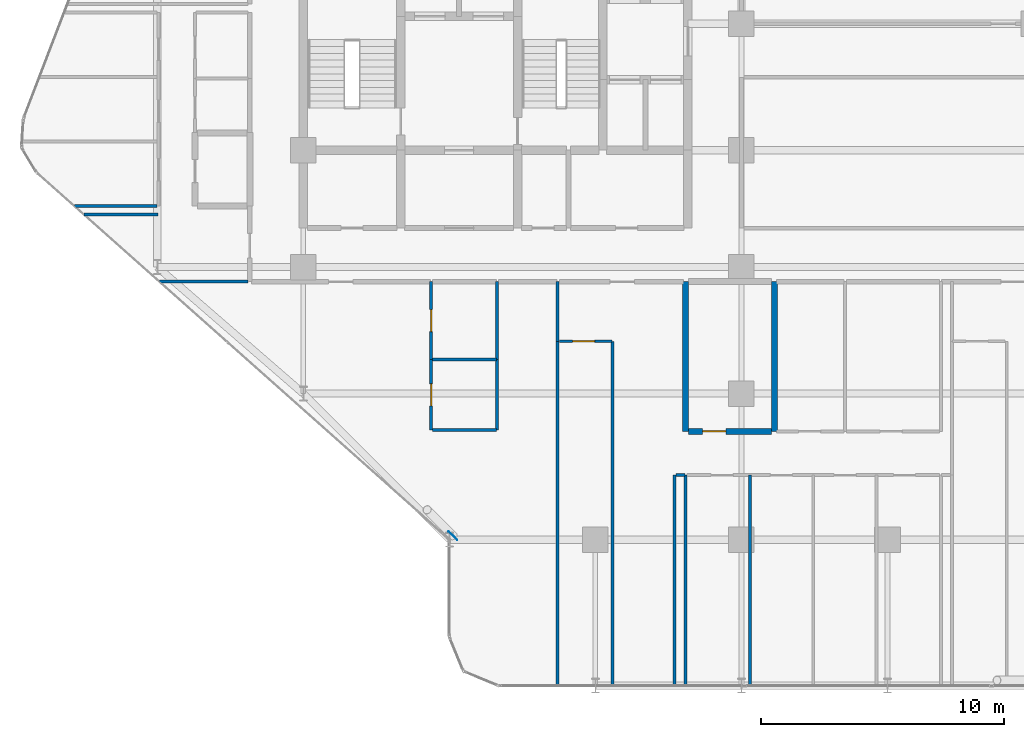
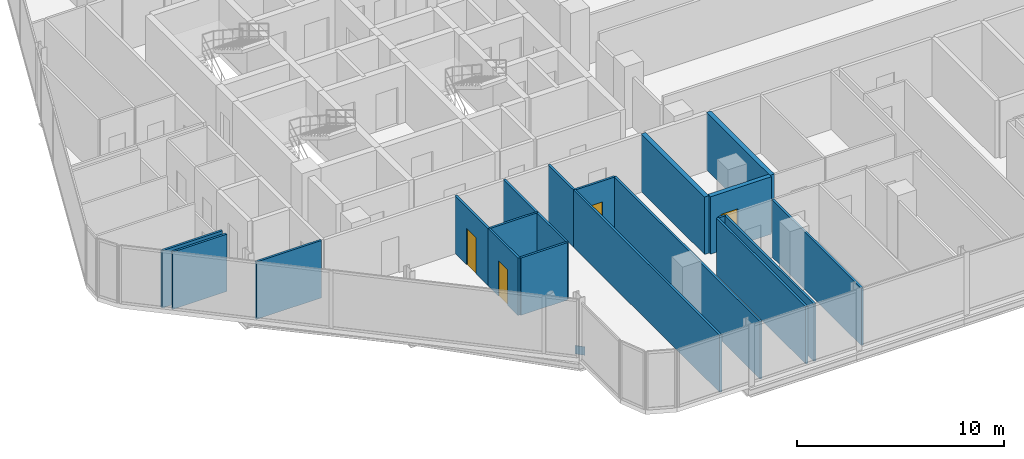
# One storey, part 23 of 30: 20 walls, 4 doors, 1 plate, 4 openings.
"""IFC4 building model written with IfcOpenShell, lengths in metres."""

from ifc_helpers import new_model, si_unit, direction, frame, frame_2d, origin, origin_2d, place, context, subcontext, project, spatial, rectangle, extrude, material, layer, layer_set, type_object, element, fill, save


model = new_model("IFC4")

# Units and contexts
model_context = context("Model", 3, precision=1e-05, world=origin(), true_north=direction((0.0, 1.0)))
body_context = subcontext(model_context, "Body", "Model", "MODEL_VIEW")
ifc_project = project(units=[si_unit("LENGTHUNIT", "METRE"), si_unit("AREAUNIT", "SQUARE_METRE"), si_unit("VOLUMEUNIT", "CUBIC_METRE"), si_unit("PLANEANGLEUNIT", "RADIAN"), si_unit("MASSUNIT", "GRAM", prefix="KILO")], contexts=[model_context])

# Site, building, storey
site_placement = place(None, origin())
site = spatial("IfcSite", under=ifc_project, at=site_placement, CompositionType="ELEMENT")
building_placement = place(site_placement, origin())
building = spatial("IfcBuilding", under=site, at=building_placement, Name="Keshet Zoharim Tower", CompositionType="ELEMENT")
storey_placement = place(building_placement, frame((0.0, 0.0, 90.89990234375)))
storey = spatial("IfcBuildingStorey", under=building, at=storey_placement, Name="L21", CompositionType="ELEMENT", Elevation=90.89990234375)

# Plate
ifc_material_1 = material(Name="Steel S355", Category="steel")
ifc_layer_1 = layer(ifc_material_1, 0.02001953125)
ifc_layer_set_1 = layer_set([ifc_layer_1], Name="Steel S355")
plate_type = type_object("IfcPlateType", Name="PL-GUS-20", PredefinedType="SHEET", material=ifc_layer_set_1)
plate_placement = place(storey_placement, frame((21.14599609375, 6.864013671875, 0.0), z_axis=(0.0, 0.0, 1.0), x_axis=(-0.707106781187, 0.707106781187, 0.0)))
element("IfcPlate", 1, at=plate_placement, inside=storey, type_object=plate_type, Name="L21 Perimeter Brace Gusset 01", PredefinedType="SHEET", context=body_context, shape_type="SweptSolid", body=[
    extrude(rectangle(XDim=0.5, YDim=0.02001953125, at=origin_2d()), origin(), (0.0, 0.0, 1.0), 0.5),
])

# Walls
ifc_material_2 = material(Name="Concrete C50/60", Category="concrete")
ifc_layer_2 = layer(ifc_material_2, 0.25)
ifc_layer_set_2 = layer_set([ifc_layer_2], Name="Concrete C50/60")
wall_type_1 = type_object("IfcWallType", Name="WL-MAMAD-250", PredefinedType="STANDARD", material=ifc_layer_set_2)
for number, where, z_axis, x_axis, name in (
    (2, (30.699951171875, 11.14990234375, 0.0), (0.0, 0.0, 1.0), (0.0, 1.0, 0.0), "L21 Interior Wall 062"),
    (3, (34.35009765625, 11.14990234375, 0.0), (0.0, 0.0, 1.0), (0.0, 1.0, 0.0), "L21 Interior Wall 075"),
):
    element("IfcWall", number, at=place(storey_placement, frame(where, z_axis=z_axis, x_axis=x_axis)), inside=storey, type_object=wall_type_1, Name=name, PredefinedType="STANDARD", context=body_context, shape_type="SweptSolid", body=[
        extrude(rectangle(XDim=6.150146484375, YDim=0.25, at=frame_2d((3.0751953125, 0.0))), origin(), (0.0, 0.0, 1.0), 3.385009765625),
    ])

# Wall, opening, door
wall_1_placement = place(storey_placement, frame((30.830078125, 11.14990234375, 0.0), z_axis=(0.0, 0.0, 1.0), x_axis=(1.0, 0.0, 0.0)))
wall_1 = element("IfcWall", 4, at=wall_1_placement, inside=storey, type_object=wall_type_1, Name="L21 Interior Wall 118", PredefinedType="STANDARD", context=body_context, shape_type="SweptSolid", body=[
    extrude(rectangle(XDim=3.39892578125, YDim=0.25, at=frame_2d((1.699462890625, 0.0))), origin(), (0.0, 0.0, 1.0), 3.385009765625),
])
opening_1_placement = place(wall_1_placement, frame((0.575927734375, 0.0, 0.0)))
opening_1 = element("IfcOpeningElement", 5, at=opening_1_placement, cuts=wall_1, Name="Opening D-F695", PredefinedType="OPENING", context=body_context, shape_type="SweptSolid", body=[
    extrude(rectangle(XDim=0.949951171875, YDim=2.14990234375, at=frame_2d((0.47509765625, 1.074951171875))), frame((0.0, 0.135009765625, 0.0), z_axis=(0.0, -1.0, 0.0), x_axis=(1.0, 0.0, 0.0)), (0.0, 0.0, 1.0), 0.27001953125),
])
ifc_material_3 = material(Name="Hardwood Timber", Category="wood")
door_type_1 = type_object("IfcDoorType", Name="DR-FD60-095", OperationType="NOTDEFINED", PredefinedType="DOOR", material=ifc_material_3)
door_1_placement = place(opening_1_placement, origin())
door_1 = element("IfcDoor", 6, at=door_1_placement, inside=storey, type_object=door_type_1, Name="Apartment 2102 Study and Shelter Room Door", OperationType="SINGLE_SWING_LEFT", OverallHeight=2.14990234375, OverallWidth=0.949951171875, PredefinedType="DOOR", context=body_context, shape_type="SweptSolid", body=[
    extrude(rectangle(XDim=0.949951171875, YDim=2.14990234375, at=frame_2d((0.47509765625, 1.074951171875))), frame((0.0, 0.02490234375, 0.0), z_axis=(0.0, -1.0, 0.0), x_axis=(1.0, 0.0, 0.0)), (0.0, 0.0, 1.0), 0.050048828125),
])
fill(opening_1, door_1)

ifc_material_4 = material(Name="Gypsum Plasterboard", Category="gypsum")
ifc_layer_3 = layer(ifc_material_4, 0.1201171875)
ifc_layer_set_3 = layer_set([ifc_layer_3], Name="Gypsum Plasterboard")
wall_type_2 = type_object("IfcWallType", Name="WL-PART-120", PredefinedType="PARTITIONING", material=ifc_layer_set_3)
wall_2_placement = place(storey_placement, frame((20.25, 14.10009765625, 0.0), z_axis=(0.0, 0.0, 1.0), x_axis=(0.0, 1.0, 0.0)))
wall_2 = element("IfcWall", 7, at=wall_2_placement, inside=storey, type_object=wall_type_2, Name="L21 Interior Wall 028", PredefinedType="PARTITIONING", context=body_context, shape_type="SweptSolid", body=[
    extrude(rectangle(XDim=3.199951171875, YDim=0.1201171875, at=frame_2d((1.60009765625, 0.0))), origin(), (0.0, 0.0, 1.0), 3.385009765625),
])
opening_2_placement = place(wall_2_placement, frame((1.14990234375, 0.0, 0.0)))
opening_2 = element("IfcOpeningElement", 8, at=opening_2_placement, cuts=wall_2, Name="Opening D-IN90", PredefinedType="OPENING", context=body_context, shape_type="SweptSolid", body=[
    extrude(rectangle(XDim=0.89990234375, YDim=2.14990234375, at=frame_2d((0.449951171875, 1.074951171875))), frame((0.0, 0.070068359375, 0.0), z_axis=(0.0, -1.0, 0.0), x_axis=(1.0, 0.0, 0.0)), (0.0, 0.0, 1.0), 0.14013671875),
])
door_type_2 = type_object("IfcDoorType", Name="DR-INT-090", OperationType="NOTDEFINED", PredefinedType="DOOR", material=ifc_material_3)
door_2_placement = place(opening_2_placement, origin())
door_2 = element("IfcDoor", 9, at=door_2_placement, inside=storey, type_object=door_type_2, Name="Apartment 2101 Kitchenette Door", OperationType="SINGLE_SWING_RIGHT", OverallHeight=2.14990234375, OverallWidth=0.89990234375, PredefinedType="DOOR", context=body_context, shape_type="SweptSolid", body=[
    extrude(rectangle(XDim=0.89990234375, YDim=2.14990234375, at=frame_2d((0.449951171875, 1.074951171875))), frame((0.0, 0.02490234375, 0.0), z_axis=(0.0, -1.0, 0.0), x_axis=(1.0, 0.0, 0.0)), (0.0, 0.0, 1.0), 0.050048828125),
])
fill(opening_2, door_2)

# Walls
wall_3_placement = place(storey_placement, frame((22.949951171875, 14.10009765625, 0.0), z_axis=(0.0, 0.0, 1.0), x_axis=(0.0, 1.0, 0.0)))
element("IfcWall", 10, at=wall_3_placement, inside=storey, type_object=wall_type_2, Name="L21 Interior Wall 035", PredefinedType="PARTITIONING", context=body_context, shape_type="SweptSolid", body=[
    extrude(rectangle(XDim=3.199951171875, YDim=0.1201171875, at=frame_2d((1.60009765625, 0.0))), origin(), (0.0, 0.0, 1.0), 3.385009765625),
])
wall_4_placement = place(storey_placement, frame((25.449951171875, 0.7099609375, 0.0), z_axis=(0.0, 0.0, 1.0), x_axis=(0.0, 1.0, 0.0)))
element("IfcWall", 11, at=wall_4_placement, inside=storey, type_object=wall_type_2, Name="L21 Interior Wall 043", PredefinedType="PARTITIONING", context=body_context, shape_type="SweptSolid", body=[
    extrude(rectangle(XDim=14.14013671875, YDim=0.1201171875, at=frame_2d((7.070068359375, 0.0))), origin(), (0.0, 0.0, 1.0), 3.385009765625),
])
wall_5_placement = place(storey_placement, frame((25.449951171875, 14.85009765625, 0.0), z_axis=(0.0, 0.0, 1.0), x_axis=(0.0, 1.0, 0.0)))
element("IfcWall", 12, at=wall_5_placement, inside=storey, type_object=wall_type_2, Name="L21 Interior Wall 044", PredefinedType="PARTITIONING", context=body_context, shape_type="SweptSolid", body=[
    extrude(rectangle(XDim=2.449951171875, YDim=0.1201171875, at=frame_2d((1.22509765625, 0.0))), origin(), (0.0, 0.0, 1.0), 3.385009765625),
])
wall_6_placement = place(storey_placement, frame((27.699951171875, 0.7099609375, 0.0), z_axis=(0.0, 0.0, 1.0), x_axis=(0.0, 1.0, 0.0)))
element("IfcWall", 13, at=wall_6_placement, inside=storey, type_object=wall_type_2, Name="L21 Interior Wall 052", PredefinedType="PARTITIONING", context=body_context, shape_type="SweptSolid", body=[
    extrude(rectangle(XDim=14.14013671875, YDim=0.1201171875, at=frame_2d((7.070068359375, 0.0))), origin(), (0.0, 0.0, 1.0), 3.385009765625),
])
for number, where, z_axis, x_axis, name in (
    (14, (30.25, 0.7099609375, 0.0), (0.0, 0.0, 1.0), (0.0, 1.0, 0.0), "L21 Interior Wall 059"),
    (15, (30.699951171875, 0.7099609375, 0.0), (0.0, 0.0, 1.0), (0.0, 1.0, 0.0), "L21 Interior Wall 061"),
    (16, (33.35009765625, 0.7099609375, 0.0), (0.0, 0.0, 1.0), (0.0, 1.0, 0.0), "L21 Interior Wall 072"),
):
    element("IfcWall", number, at=place(storey_placement, frame(where, z_axis=z_axis, x_axis=x_axis)), inside=storey, type_object=wall_type_2, Name=name, PredefinedType="PARTITIONING", context=body_context, shape_type="SweptSolid", body=[
        extrude(rectangle(XDim=8.64013671875, YDim=0.1201171875, at=frame_2d((4.320068359375, 0.0))), origin(), (0.0, 0.0, 1.0), 3.385009765625),
    ])
wall_7_placement = place(storey_placement, frame((30.31494140625, 9.35009765625, 0.0), z_axis=(0.0, 0.0, 1.0), x_axis=(1.0, 0.0, 0.0)))
element("IfcWall", 17, at=wall_7_placement, inside=storey, type_object=wall_type_2, Name="L21 Interior Wall 113", PredefinedType="PARTITIONING", context=body_context, shape_type="SweptSolid", body=[
    extrude(rectangle(XDim=0.360107421875, YDim=0.1201171875, at=frame_2d((0.18017578125, 0.0))), origin(), (0.0, 0.0, 1.0), 3.385009765625),
])

# Wall, opening, door
wall_8_placement = place(storey_placement, frame((25.514892578125, 14.85009765625, 0.0), z_axis=(0.0, 0.0, 1.0), x_axis=(1.0, 0.0, 0.0)))
wall_8 = element("IfcWall", 18, at=wall_8_placement, inside=storey, type_object=wall_type_2, Name="L21 Interior Wall 126", PredefinedType="PARTITIONING", context=body_context, shape_type="SweptSolid", body=[
    extrude(rectangle(XDim=2.16015625, YDim=0.1201171875, at=frame_2d((1.080078125, 0.0))), origin(), (0.0, 0.0, 1.0), 3.385009765625),
])
opening_3_placement = place(wall_8_placement, frame((0.552978515625, 0.0, 0.0)))
opening_3 = element("IfcOpeningElement", 19, at=opening_3_placement, cuts=wall_8, Name="Opening D-IN90", PredefinedType="OPENING", context=body_context, shape_type="SweptSolid", body=[
    extrude(rectangle(XDim=0.89990234375, YDim=2.14990234375, at=frame_2d((0.449951171875, 1.074951171875))), frame((0.0, 0.070068359375, 0.0), z_axis=(0.0, -1.0, 0.0), x_axis=(1.0, 0.0, 0.0)), (0.0, 0.0, 1.0), 0.14013671875),
])
door_3_placement = place(opening_3_placement, origin())
door_3 = element("IfcDoor", 20, at=door_3_placement, inside=storey, type_object=door_type_2, Name="Apartment 2102 Formal Dining Room Door", OperationType="SINGLE_SWING_LEFT", OverallHeight=2.14990234375, OverallWidth=0.89990234375, PredefinedType="DOOR", context=body_context, shape_type="SweptSolid", body=[
    extrude(rectangle(XDim=0.89990234375, YDim=2.14990234375, at=frame_2d((0.449951171875, 1.074951171875))), frame((0.0, 0.02490234375, 0.0), z_axis=(0.0, -1.0, 0.0), x_axis=(1.0, 0.0, 0.0)), (0.0, 0.0, 1.0), 0.050048828125),
])
fill(opening_3, door_3)

# Walls
wall_9_placement = place(storey_placement, frame((9.0849609375, 17.300048828125, 0.0), z_axis=(0.0, 0.0, 1.0), x_axis=(1.0, 0.0, 0.0)))
element("IfcWall", 21, at=wall_9_placement, inside=storey, type_object=wall_type_2, Name="L21 Interior Wall 128", PredefinedType="PARTITIONING", context=body_context, shape_type="SweptSolid", body=[
    extrude(rectangle(XDim=3.64013671875, YDim=0.1201171875, at=frame_2d((1.820068359375, 0.0))), origin(), (0.0, 0.0, 1.0), 3.385009765625),
])
wall_10_placement = place(storey_placement, frame((5.990966796875, 20.050048828125, 0.0), z_axis=(0.0, 0.0, 1.0), x_axis=(1.0, 0.0, 0.0)))
element("IfcWall", 22, at=wall_10_placement, inside=storey, type_object=wall_type_2, Name="L21 Interior Wall 147", PredefinedType="PARTITIONING", context=body_context, shape_type="SweptSolid", body=[
    extrude(rectangle(XDim=3.0390625, YDim=0.1201171875, at=frame_2d((1.51953125, 0.0))), origin(), (0.0, 0.0, 1.0), 3.385009765625),
])
wall_11_placement = place(storey_placement, frame((5.596923828125, 20.39990234375, 0.0), z_axis=(0.0, 0.0, 1.0), x_axis=(1.0, 0.0, 0.0)))
element("IfcWall", 23, at=wall_11_placement, inside=storey, type_object=wall_type_2, Name="L21 Interior Wall 148", PredefinedType="PARTITIONING", context=body_context, shape_type="SweptSolid", body=[
    extrude(rectangle(XDim=3.38818359375, YDim=0.1201171875, at=frame_2d((1.694091796875, 0.0))), origin(), (0.0, 0.0, 1.0), 3.385009765625),
])

# Wall, opening, door
ifc_layer_4 = layer(ifc_material_4, 0.1201171875)
ifc_layer_set_4 = layer_set([ifc_layer_4], Name="Gypsum Plasterboard")
wall_type_3 = type_object("IfcWallType", Name="WL-WET-120", PredefinedType="PARTITIONING", material=ifc_layer_set_4)
wall_12_placement = place(storey_placement, frame((20.25, 11.199951171875, 0.0), z_axis=(0.0, 0.0, 1.0), x_axis=(0.0, 1.0, 0.0)))
wall_12 = element("IfcWall", 24, at=wall_12_placement, inside=storey, type_object=wall_type_3, Name="L21 Interior Wall 027", PredefinedType="PARTITIONING", context=body_context, shape_type="SweptSolid", body=[
    extrude(rectangle(XDim=2.900146484375, YDim=0.1201171875, at=frame_2d((1.4501953125, 0.0))), origin(), (0.0, 0.0, 1.0), 3.385009765625),
])
opening_4_placement = place(wall_12_placement, frame((1.0, 0.0, 0.0)))
opening_4 = element("IfcOpeningElement", 25, at=opening_4_placement, cuts=wall_12, Name="Opening D-WT90", PredefinedType="OPENING", context=body_context, shape_type="SweptSolid", body=[
    extrude(rectangle(XDim=0.89990234375, YDim=2.10009765625, at=frame_2d((0.449951171875, 1.050048828125))), frame((0.0, 0.070068359375, 0.0), z_axis=(0.0, -1.0, 0.0), x_axis=(1.0, 0.0, 0.0)), (0.0, 0.0, 1.0), 0.14013671875),
])
door_type_3 = type_object("IfcDoorType", Name="DR-WET-090", OperationType="NOTDEFINED", PredefinedType="DOOR", material=ifc_material_3)
door_4_placement = place(opening_4_placement, origin())
door_4 = element("IfcDoor", 26, at=door_4_placement, inside=storey, type_object=door_type_3, Name="Apartment 2101 Bathroom Door", OperationType="SINGLE_SWING_LEFT", OverallHeight=2.10009765625, OverallWidth=0.89990234375, PredefinedType="DOOR", context=body_context, shape_type="SweptSolid", body=[
    extrude(rectangle(XDim=0.89990234375, YDim=2.10009765625, at=frame_2d((0.449951171875, 1.050048828125))), frame((0.0, 0.02490234375, 0.0), z_axis=(0.0, -1.0, 0.0), x_axis=(1.0, 0.0, 0.0)), (0.0, 0.0, 1.0), 0.050048828125),
])
fill(opening_4, door_4)

# Walls
wall_13_placement = place(storey_placement, frame((22.949951171875, 11.199951171875, 0.0), z_axis=(0.0, 0.0, 1.0), x_axis=(0.0, 1.0, 0.0)))
element("IfcWall", 27, at=wall_13_placement, inside=storey, type_object=wall_type_3, Name="L21 Interior Wall 034", PredefinedType="PARTITIONING", context=body_context, shape_type="SweptSolid", body=[
    extrude(rectangle(XDim=2.900146484375, YDim=0.1201171875, at=frame_2d((1.4501953125, 0.0))), origin(), (0.0, 0.0, 1.0), 3.385009765625),
])
for number, where, z_axis, x_axis, name in (
    (28, (20.31494140625, 11.199951171875, 0.0), (0.0, 0.0, 1.0), (1.0, 0.0, 0.0), "L21 Interior Wall 124"),
    (29, (20.31494140625, 14.10009765625, 0.0), (0.0, 0.0, 1.0), (1.0, 0.0, 0.0), "L21 Interior Wall 125"),
):
    element("IfcWall", number, at=place(storey_placement, frame(where, z_axis=z_axis, x_axis=x_axis)), inside=storey, type_object=wall_type_3, Name=name, PredefinedType="PARTITIONING", context=body_context, shape_type="SweptSolid", body=[
        extrude(rectangle(XDim=2.610107421875, YDim=0.1201171875, at=frame_2d((1.30517578125, 0.0))), origin(), (0.0, 0.0, 1.0), 3.385009765625),
    ])

save(model, "model.ifc")
